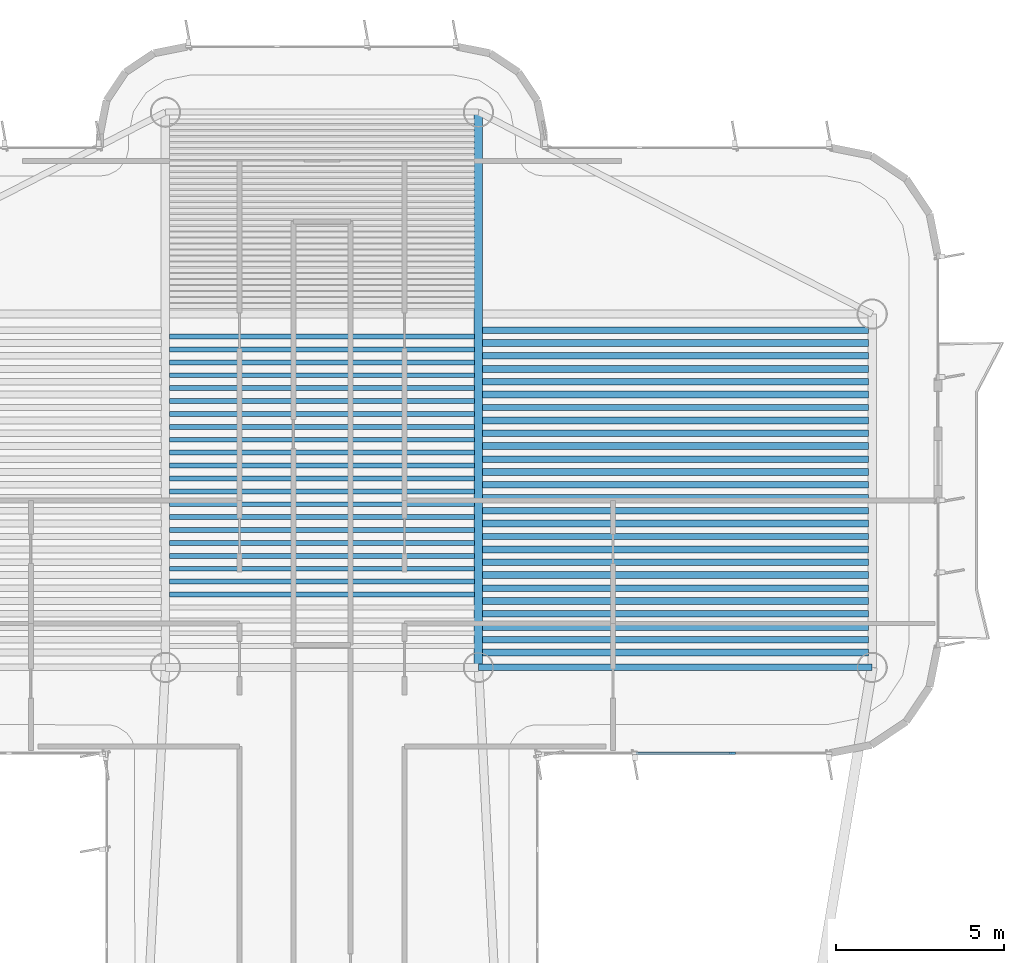
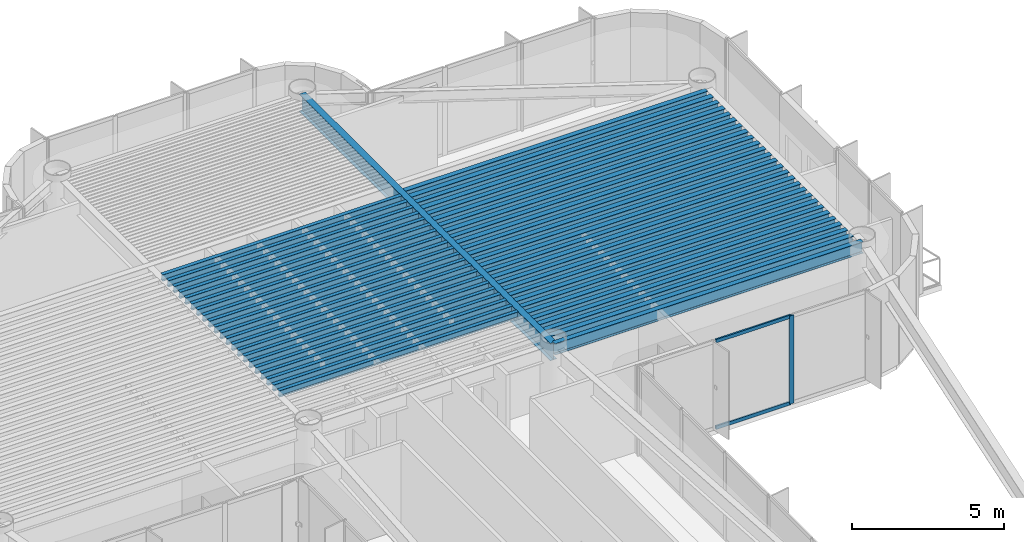
# One storey, part 6 of 15: 49 beams, 3 members, 1 element without a shape of its own.
"""IFC4 building model written with IfcOpenShell, lengths in metres."""

from ifc_helpers import new_model, si_unit, direction, frame, origin, origin_2d, place, context, subcontext, project, spatial, rectangle, i_section, extrude, source, transform, mapped, material, layer, layer_set, material_profile, profile_set, type_object, element, aggregate, save


model = new_model("IFC4")

# Units and contexts
model_context = context("Model", 3, precision=1e-05, world=origin(), true_north=direction((0.0, 1.0)))
body_context = subcontext(model_context, "Body", "Model", "MODEL_VIEW")
ifc_project = project(units=[si_unit("LENGTHUNIT", "METRE"), si_unit("AREAUNIT", "SQUARE_METRE"), si_unit("VOLUMEUNIT", "CUBIC_METRE"), si_unit("PLANEANGLEUNIT", "RADIAN"), si_unit("MASSUNIT", "GRAM", prefix="KILO")], contexts=[model_context])

# Site, building, storey
site_placement = place(None, origin())
site = spatial("IfcSite", under=ifc_project, at=site_placement, CompositionType="ELEMENT")
building_placement = place(site_placement, origin())
building = spatial("IfcBuilding", under=site, at=building_placement, Name="Brelvock Crest Care Tower", CompositionType="ELEMENT")
storey_placement = place(building_placement, frame((0.0, 0.0, 249.47998046875)))
storey = spatial("IfcBuildingStorey", under=building, at=storey_placement, Name="L63", CompositionType="ELEMENT", Elevation=249.47998046875)

# Beams
ifc_material_1 = material(Name="Steel Grade 350", Category="steel")
ifc_material_profile_1 = material_profile(ifc_material_1, i_section(OverallWidth=0.14599609375, OverallDepth=0.256103515625, WebThickness=0.00634765625, FlangeThickness=0.010986328125, FilletRadius=0.0087890625, at=origin_2d()), Name="250UB37.3")
ifc_profile_set_1 = profile_set([ifc_material_profile_1], Name="Steel Grade 350")
beam_type_1 = type_object("IfcBeamType", Name="BM-J3", PredefinedType="JOIST", material=ifc_profile_set_1)
shared_shape_1 = source(origin(), body_context, "Body", "SweptSolid", [
    extrude(i_section(OverallWidth=0.14599609375, OverallDepth=0.256103515625, WebThickness=0.00634765625, FlangeThickness=0.010986328125, FilletRadius=0.0087890625, at=origin_2d()), origin(), (0.0, 0.0, 1.0), 9.06982421875),
])
for number, where, z_axis, x_axis, name in (
    (1, (31.465087890625, 46.115478515625, 3.402099609375), (1.0, 0.0, 0.0), (0.0, 1.0, 0.0), "BM-JH-L63-5"),
    (2, (31.465087890625, 46.498779296875, 3.402099609375), (1.0, 0.0, 0.0), (0.0, 1.0, 0.0), "BM-JH-L63-6"),
    (3, (31.465087890625, 46.882080078125, 3.402099609375), (1.0, 0.0, 0.0), (0.0, 1.0, 0.0), "BM-JH-L63-7"),
    (4, (31.465087890625, 47.265380859375, 3.402099609375), (1.0, 0.0, 0.0), (0.0, 1.0, 0.0), "BM-JH-L63-8"),
    (5, (31.465087890625, 47.648681640625, 3.402099609375), (1.0, 0.0, 0.0), (0.0, 1.0, 0.0), "BM-JH-L63-9"),
    (6, (31.465087890625, 48.031982421875, 3.402099609375), (1.0, 0.0, 0.0), (0.0, 1.0, 0.0), "BM-JH-L63-10"),
    (7, (31.465087890625, 48.4150390625, 3.402099609375), (1.0, 0.0, 0.0), (0.0, 1.0, 0.0), "BM-JH-L63-11"),
    (8, (31.465087890625, 48.79833984375, 3.402099609375), (1.0, 0.0, 0.0), (0.0, 1.0, 0.0), "BM-JH-L63-12"),
    (9, (31.465087890625, 49.181640625, 3.402099609375), (1.0, 0.0, 0.0), (0.0, 1.0, 0.0), "BM-JH-L63-13"),
    (10, (31.465087890625, 49.564697265625, 3.402099609375), (1.0, 0.0, 0.0), (0.0, 1.0, 0.0), "BM-JH-L63-14"),
    (11, (31.465087890625, 49.947998046875, 3.402099609375), (1.0, 0.0, 0.0), (0.0, 1.0, 0.0), "BM-JH-L63-15"),
    (12, (31.465087890625, 50.331298828125, 3.402099609375), (1.0, 0.0, 0.0), (0.0, 1.0, 0.0), "BM-JH-L63-16"),
    (13, (31.465087890625, 50.714599609375, 3.402099609375), (1.0, 0.0, 0.0), (0.0, 1.0, 0.0), "BM-JH-L63-17"),
    (14, (31.465087890625, 51.097900390625, 3.402099609375), (1.0, 0.0, 0.0), (0.0, 1.0, 0.0), "BM-JH-L63-18"),
    (15, (31.465087890625, 51.481201171875, 3.402099609375), (1.0, 0.0, 0.0), (0.0, 1.0, 0.0), "BM-JH-L63-19"),
    (16, (31.465087890625, 51.864501953125, 3.402099609375), (1.0, 0.0, 0.0), (0.0, 1.0, 0.0), "BM-JH-L63-20"),
    (17, (31.465087890625, 52.24755859375, 3.402099609375), (1.0, 0.0, 0.0), (0.0, 1.0, 0.0), "BM-JH-L63-21"),
    (18, (31.465087890625, 52.630859375, 3.402099609375), (1.0, 0.0, 0.0), (0.0, 1.0, 0.0), "BM-JH-L63-22"),
    (19, (31.465087890625, 53.01416015625, 3.402099609375), (1.0, 0.0, 0.0), (0.0, 1.0, 0.0), "BM-JH-L63-23"),
    (20, (31.465087890625, 53.3974609375, 3.402099609375), (1.0, 0.0, 0.0), (0.0, 1.0, 0.0), "BM-JH-L63-24"),
    (21, (31.465087890625, 53.780517578125, 3.402099609375), (1.0, 0.0, 0.0), (0.0, 1.0, 0.0), "BM-JH-L63-25"),
):
    element("IfcBeam", number, at=place(storey_placement, frame(where, z_axis=z_axis, x_axis=x_axis)), inside=storey, type_object=beam_type_1, Name=name, PredefinedType="JOIST", context=body_context, shape_type="MappedRepresentation", body=[
        mapped(shared_shape_1, transform((0.0, 0.0, 0.0), x_axis=(1.0, 0.0, 0.0), y_axis=(0.0, 1.0, 0.0), z_axis=(0.0, 0.0, 1.0), scale=1.0)),
    ])
ifc_material_profile_2 = material_profile(ifc_material_1, i_section(OverallWidth=0.19091796875, OverallDepth=0.4599609375, WebThickness=0.010009765625, FlangeThickness=0.01611328125, FilletRadius=0.011474609375, at=origin_2d()), Name="460UB82.1")
ifc_profile_set_2 = profile_set([ifc_material_profile_2], Name="Steel Grade 350")
beam_type_2 = type_object("IfcBeamType", Name="BM-G3", PredefinedType="BEAM", material=ifc_profile_set_2)
shared_shape_2 = source(origin(), body_context, "Body", "SweptSolid", [
    extrude(i_section(OverallWidth=0.19091796875, OverallDepth=0.4599609375, WebThickness=0.010009765625, FlangeThickness=0.01611328125, FilletRadius=0.011474609375, at=origin_2d()), origin(), (0.0, 0.0, 1.0), 11.47021484375),
])
for number, where, z_axis, x_axis, name in (
    (22, (40.764892578125, 44.7744140625, 3.300048828125), (1.0, 0.0, 0.0), (0.0, 1.0, 0.0), "BM-JE-L63-2"),
    (23, (40.764892578125, 45.540771484375, 3.300048828125), (1.0, 0.0, 0.0), (0.0, 1.0, 0.0), "BM-JE-L63-4"),
    (24, (40.764892578125, 46.307373046875, 3.300048828125), (1.0, 0.0, 0.0), (0.0, 1.0, 0.0), "BM-JE-L63-6"),
    (25, (40.764892578125, 47.07373046875, 3.300048828125), (1.0, 0.0, 0.0), (0.0, 1.0, 0.0), "BM-JE-L63-8"),
    (26, (40.764892578125, 47.84033203125, 3.300048828125), (1.0, 0.0, 0.0), (0.0, 1.0, 0.0), "BM-JE-L63-10"),
    (27, (40.764892578125, 48.606689453125, 3.300048828125), (1.0, 0.0, 0.0), (0.0, 1.0, 0.0), "BM-JE-L63-12"),
    (28, (40.764892578125, 49.373291015625, 3.300048828125), (1.0, 0.0, 0.0), (0.0, 1.0, 0.0), "BM-JE-L63-14"),
    (29, (40.764892578125, 50.139892578125, 3.300048828125), (1.0, 0.0, 0.0), (0.0, 1.0, 0.0), "BM-JE-L63-16"),
    (30, (40.764892578125, 50.90625, 3.300048828125), (1.0, 0.0, 0.0), (0.0, 1.0, 0.0), "BM-JE-L63-18"),
    (31, (40.764892578125, 51.6728515625, 3.300048828125), (1.0, 0.0, 0.0), (0.0, 1.0, 0.0), "BM-JE-L63-20"),
    (32, (40.764892578125, 52.439208984375, 3.300048828125), (1.0, 0.0, 0.0), (0.0, 1.0, 0.0), "BM-JE-L63-22"),
    (33, (40.764892578125, 53.205810546875, 3.300048828125), (1.0, 0.0, 0.0), (0.0, 1.0, 0.0), "BM-JE-L63-24"),
    (34, (40.764892578125, 53.972412109375, 3.300048828125), (1.0, 0.0, 0.0), (0.0, 1.0, 0.0), "BM-JE-L63-26"),
):
    element("IfcBeam", number, at=place(storey_placement, frame(where, z_axis=z_axis, x_axis=x_axis)), inside=storey, type_object=beam_type_2, Name=name, PredefinedType="BEAM", context=body_context, shape_type="MappedRepresentation", body=[
        mapped(shared_shape_2, transform((0.0, 0.0, 0.0), x_axis=(1.0, 0.0, 0.0), y_axis=(0.0, 1.0, 0.0), z_axis=(0.0, 0.0, 1.0), scale=1.0)),
    ])
ifc_material_profile_3 = material_profile(ifc_material_1, i_section(OverallWidth=0.208984375, OverallDepth=0.532958984375, WebThickness=0.01025390625, FlangeThickness=0.015625, FilletRadius=0.013916015625, at=origin_2d()), Name="530UB92.4")
ifc_profile_set_3 = profile_set([ifc_material_profile_3], Name="Steel Grade 350")
beam_type_3 = type_object("IfcBeamType", Name="BM-G2", PredefinedType="BEAM", material=ifc_profile_set_3)
shared_shape_3 = source(origin(), body_context, "Body", "SweptSolid", [
    extrude(i_section(OverallWidth=0.208984375, OverallDepth=0.532958984375, WebThickness=0.01025390625, FlangeThickness=0.015625, FilletRadius=0.013916015625, at=origin_2d()), origin(), (0.0, 0.0, 1.0), 11.47021484375),
])
for number, where, z_axis, x_axis, name in (
    (35, (40.764892578125, 44.39111328125, 3.263427734375), (1.0, 0.0, 0.0), (0.0, 1.0, 0.0), "BM-JE-L63-1"),
    (36, (40.764892578125, 45.157470703125, 3.263427734375), (1.0, 0.0, 0.0), (0.0, 1.0, 0.0), "BM-JE-L63-3"),
    (37, (40.764892578125, 45.924072265625, 3.263427734375), (1.0, 0.0, 0.0), (0.0, 1.0, 0.0), "BM-JE-L63-5"),
    (38, (40.764892578125, 46.6904296875, 3.263427734375), (1.0, 0.0, 0.0), (0.0, 1.0, 0.0), "BM-JE-L63-7"),
    (39, (40.764892578125, 47.45703125, 3.263427734375), (1.0, 0.0, 0.0), (0.0, 1.0, 0.0), "BM-JE-L63-9"),
    (40, (40.764892578125, 48.223388671875, 3.263427734375), (1.0, 0.0, 0.0), (0.0, 1.0, 0.0), "BM-JE-L63-11"),
    (41, (40.764892578125, 48.989990234375, 3.263427734375), (1.0, 0.0, 0.0), (0.0, 1.0, 0.0), "BM-JE-L63-13"),
    (42, (40.764892578125, 49.756591796875, 3.263427734375), (1.0, 0.0, 0.0), (0.0, 1.0, 0.0), "BM-JE-L63-15"),
    (43, (40.764892578125, 50.52294921875, 3.263427734375), (1.0, 0.0, 0.0), (0.0, 1.0, 0.0), "BM-JE-L63-17"),
    (44, (40.764892578125, 51.28955078125, 3.263427734375), (1.0, 0.0, 0.0), (0.0, 1.0, 0.0), "BM-JE-L63-19"),
    (45, (40.764892578125, 52.055908203125, 3.263427734375), (1.0, 0.0, 0.0), (0.0, 1.0, 0.0), "BM-JE-L63-21"),
    (46, (40.764892578125, 52.822509765625, 3.263427734375), (1.0, 0.0, 0.0), (0.0, 1.0, 0.0), "BM-JE-L63-23"),
    (47, (40.764892578125, 53.589111328125, 3.263427734375), (1.0, 0.0, 0.0), (0.0, 1.0, 0.0), "BM-JE-L63-25"),
):
    element("IfcBeam", number, at=place(storey_placement, frame(where, z_axis=z_axis, x_axis=x_axis)), inside=storey, type_object=beam_type_3, Name=name, PredefinedType="BEAM", context=body_context, shape_type="MappedRepresentation", body=[
        mapped(shared_shape_3, transform((0.0, 0.0, 0.0), x_axis=(1.0, 0.0, 0.0), y_axis=(0.0, 1.0, 0.0), z_axis=(0.0, 0.0, 1.0), scale=1.0)),
    ])
ifc_material_profile_4 = material_profile(ifc_material_1, i_section(OverallWidth=0.19091796875, OverallDepth=0.4599609375, WebThickness=0.010009765625, FlangeThickness=0.01611328125, FilletRadius=0.011474609375, at=origin_2d()), Name="460UB82.1")
ifc_profile_set_4 = profile_set([ifc_material_profile_4], Name="Steel Grade 350")
beam_type_4 = type_object("IfcBeamType", Name="BM-SP2", PredefinedType="SPANDREL", material=ifc_profile_set_4)
shared_shape_4 = source(origin(), body_context, "Body", "SweptSolid", [
    extrude(i_section(OverallWidth=0.19091796875, OverallDepth=0.4599609375, WebThickness=0.010009765625, FlangeThickness=0.01611328125, FilletRadius=0.011474609375, at=origin_2d()), origin(), (0.0, 0.0, 1.0), 11.7001953125),
])
beam_1_placement = place(storey_placement, frame((40.64990234375, 43.949951171875, 3.300048828125), z_axis=(1.0, 0.0, 0.0), x_axis=(0.0, 1.0, 0.0)))
element("IfcBeam", 48, at=beam_1_placement, inside=storey, type_object=beam_type_4, Name="BM-TWR-L63-04", PredefinedType="SPANDREL", context=body_context, shape_type="MappedRepresentation", body=[
    mapped(shared_shape_4, transform((0.0, 0.0, 0.0), x_axis=(1.0, 0.0, 0.0), y_axis=(0.0, 1.0, 0.0), z_axis=(0.0, 0.0, 1.0), scale=1.0)),
])
ifc_material_profile_5 = material_profile(ifc_material_1, i_section(OverallWidth=0.25, OverallDepth=0.699951171875, WebThickness=0.011962890625, FlangeThickness=0.02001953125, at=origin_2d()), Name="700WB150")
ifc_profile_set_5 = profile_set([ifc_material_profile_5], Name="Steel Grade 350")
beam_type_5 = type_object("IfcBeamType", Name="BM-G4", PredefinedType="BEAM", material=ifc_profile_set_5)
shared_shape_5 = source(origin(), body_context, "Body", "SweptSolid", [
    extrude(i_section(OverallWidth=0.25, OverallDepth=0.699951171875, WebThickness=0.011962890625, FlangeThickness=0.02001953125, at=origin_2d()), origin(), (0.0, 0.0, 1.0), 16.5),
])
beam_2_placement = place(storey_placement, frame((40.64990234375, 43.949951171875, 3.179931640625), z_axis=(0.0, 1.0, 0.0), x_axis=(-1.0, 0.0, 0.0)))
element("IfcBeam", 49, at=beam_2_placement, inside=storey, type_object=beam_type_5, Name="BM-TWR-L63-10", PredefinedType="BEAM", context=body_context, shape_type="MappedRepresentation", body=[
    mapped(shared_shape_5, transform((0.0, 0.0, 0.0), x_axis=(1.0, 0.0, 0.0), y_axis=(0.0, 1.0, 0.0), z_axis=(0.0, 0.0, 1.0), scale=1.0)),
])

# Curtain wall, members
ifc_material_2 = material(Name="Dark Glass Double Glazed Low-E", Category="glass")
ifc_layer = layer(ifc_material_2, 0.239990234375, Name="CWS-5")
ifc_layer_set = layer_set([ifc_layer], Name="Dark Glass Double Glazed Low-E")
curtain_wall_type = type_object("IfcCurtainWallType", Name="CWS-5", PredefinedType="NOTDEFINED", material=ifc_layer_set)
curtain_wall_placement = place(storey_placement, origin())
curtain_wall = element("IfcCurtainWall", 50, at=curtain_wall_placement, inside=storey, type_object=curtain_wall_type, Name="L63 Curtain Wall E44", PredefinedType="NOTDEFINED")
ifc_material_3 = material(Name="Aluminium 6063-T6", Category="aluminium")
ifc_material_profile_6 = material_profile(ifc_material_3, rectangle(XDim=0.06005859375, YDim=0.179931640625, at=origin_2d()), Name="ALU60x180")
ifc_profile_set_6 = profile_set([ifc_material_profile_6], Name="Aluminium 6063-T6")
member_type_1 = type_object("IfcMemberType", Name="CWM-2", PredefinedType="MULLION", material=ifc_profile_set_6)
shared_shape_6 = source(origin(), body_context, "Body", "SweptSolid", [
    extrude(rectangle(XDim=0.06005859375, YDim=0.179931640625, at=origin_2d()), origin(), (0.0, 0.0, 1.0), 3.530029296875),
])
member_1_placement = place(storey_placement, frame((48.199951171875, 41.39990234375, 0.0), z_axis=(0.0, 0.0, 1.0), x_axis=(0.0, -1.0, 0.0)))
member_1 = element("IfcMember", 51, at=member_1_placement, type_object=member_type_1, Name="CW-5 mullion 2", PredefinedType="MULLION", context=body_context, shape_type="MappedRepresentation", body=[
    mapped(shared_shape_6, transform((0.0, 0.0, 0.0), x_axis=(1.0, 0.0, 0.0), y_axis=(0.0, 1.0, 0.0), z_axis=(0.0, 0.0, 1.0), scale=1.0)),
])
ifc_material_profile_7 = material_profile(ifc_material_3, rectangle(XDim=0.06005859375, YDim=0.139892578125, at=origin_2d()), Name="ALU60x140")
ifc_profile_set_7 = profile_set([ifc_material_profile_7], Name="Aluminium 6063-T6")
member_type_2 = type_object("IfcMemberType", Name="CWT-2", PredefinedType="USERDEFINED", material=ifc_profile_set_7)
shared_shape_7 = source(origin(), body_context, "Body", "SweptSolid", [
    extrude(rectangle(XDim=0.06005859375, YDim=0.139892578125, at=origin_2d()), origin(), (0.0, 0.0, 1.0), 2.83984375),
])
member_2_placement = place(storey_placement, frame((48.169921875, 41.39990234375, 0.030029296875), z_axis=(-1.0, 0.0, 0.0), x_axis=(0.0, -1.0, 0.0)))
member_2 = element("IfcMember", 52, at=member_2_placement, type_object=member_type_2, Name="CW-5 transom 2.1", ObjectType="TRANSOM", PredefinedType="USERDEFINED", context=body_context, shape_type="MappedRepresentation", body=[
    mapped(shared_shape_7, transform((0.0, 0.0, 0.0), x_axis=(1.0, 0.0, 0.0), y_axis=(0.0, 1.0, 0.0), z_axis=(0.0, 0.0, 1.0), scale=1.0)),
])
member_3_placement = place(storey_placement, frame((48.169921875, 41.39990234375, 3.5), z_axis=(-1.0, 0.0, 0.0), x_axis=(0.0, -1.0, 0.0)))
member_3 = element("IfcMember", 53, at=member_3_placement, type_object=member_type_2, Name="CW-5 transom 2.2", ObjectType="TRANSOM", PredefinedType="USERDEFINED", context=body_context, shape_type="MappedRepresentation", body=[
    mapped(shared_shape_7, transform((0.0, 0.0, 0.0), x_axis=(1.0, 0.0, 0.0), y_axis=(0.0, 1.0, 0.0), z_axis=(0.0, 0.0, 1.0), scale=1.0)),
])
aggregate(curtain_wall, [member_1, member_2, member_3])

save(model, "model.ifc")
